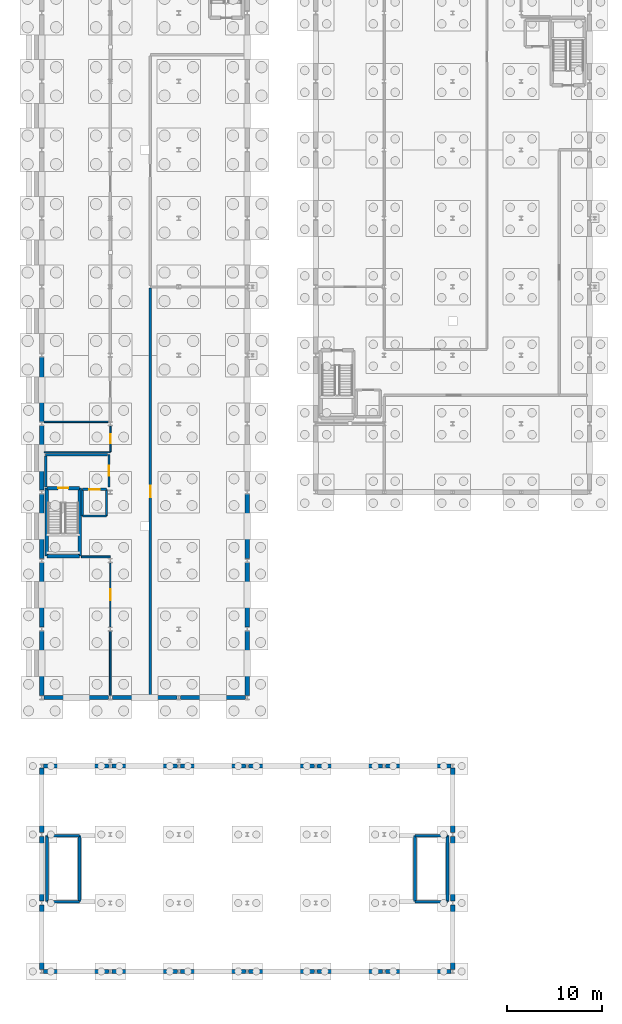
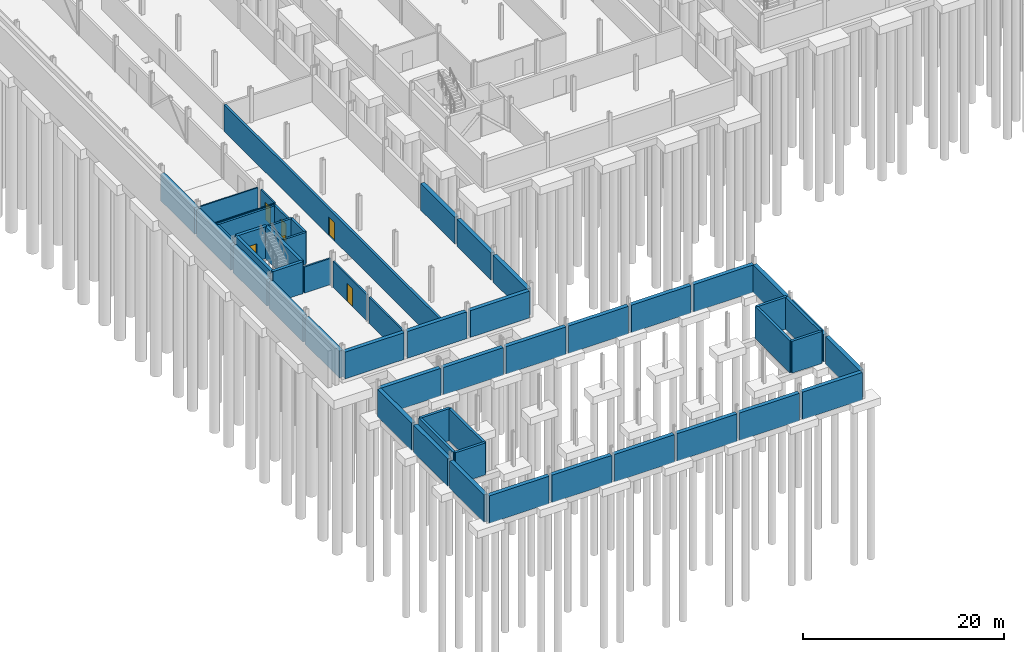
# One storey, part 34 of 50: 55 walls, 6 doors, 6 openings.
"""IFC4 building model written with IfcOpenShell, lengths in metres."""

from ifc_helpers import new_model, si_unit, direction, frame, frame_2d, origin, place, context, subcontext, project, spatial, rectangle, extrude, material, layer, layer_set, type_object, element, fill, save


model = new_model("IFC4")

# Units and contexts
model_context = context("Model", 3, precision=1e-05, world=origin(), true_north=direction((0.0, 1.0)))
body_context = subcontext(model_context, "Body", "Model", "MODEL_VIEW")
ifc_project = project(units=[si_unit("LENGTHUNIT", "METRE"), si_unit("AREAUNIT", "SQUARE_METRE"), si_unit("VOLUMEUNIT", "CUBIC_METRE"), si_unit("PLANEANGLEUNIT", "RADIAN"), si_unit("MASSUNIT", "GRAM", prefix="KILO")], contexts=[model_context])

# Site, building, storey
site_placement = place(None, origin())
site = spatial("IfcSite", under=ifc_project, at=site_placement, CompositionType="ELEMENT")
building_placement = place(site_placement, origin())
building = spatial("IfcBuilding", under=site, at=building_placement, Name="Narikvali Park Central Library", CompositionType="ELEMENT")
storey_placement = place(building_placement, frame((0.0, 0.0, -4.199951171875)))
storey = spatial("IfcBuildingStorey", under=building, at=storey_placement, Name="B1", CompositionType="ELEMENT", Elevation=-4.199951171875)

# Walls
ifc_material_1 = material(Name="Concrete C35/45", Category="concrete")
ifc_layer_1 = layer(ifc_material_1, 0.449951171875, Name="Concrete C35/45")
ifc_layer_set_1 = layer_set([ifc_layer_1], Name="Concrete C35/45")
wall_type_1 = type_object("IfcWallType", Name="Basement Perimeter Retaining Wall 450", PredefinedType="USERDEFINED", material=ifc_layer_set_1)
for number, where, z_axis, x_axis, name in (
    (1, (0.154052734375, 0.0, -0.080078125), (0.0, 0.0, 1.0), (1.0, 0.0, 0.0), "V2 B1 Retaining Wall S"),
    (2, (0.154052734375, 21.60009765625, -0.080078125), (0.0, 0.0, 1.0), (1.0, 0.0, 0.0), "V2 B1 Retaining Wall N"),
):
    element("IfcWall", number, at=place(storey_placement, frame(where, z_axis=z_axis, x_axis=x_axis)), inside=storey, type_object=wall_type_1, Name=name, ObjectType="RETAINING WALL", PredefinedType="USERDEFINED", context=body_context, shape_type="SweptSolid", body=[
        extrude(rectangle(XDim=6.891845703125, YDim=0.449951171875, at=frame_2d((3.44580078125, 0.0))), origin(), (0.0, 0.0, 1.0), 3.340087890625),
    ])
for number, where, z_axis, x_axis, name in (
    (3, (7.35400390625, 0.0, -0.080078125), (0.0, 0.0, 1.0), (1.0, 0.0, 0.0), "V2 B1 Retaining Wall S"),
    (4, (7.35400390625, 21.60009765625, -0.080078125), (0.0, 0.0, 1.0), (1.0, 0.0, 0.0), "V2 B1 Retaining Wall N"),
    (5, (14.553955078125, 0.0, -0.080078125), (0.0, 0.0, 1.0), (1.0, 0.0, 0.0), "V2 B1 Retaining Wall S"),
    (6, (14.553955078125, 21.60009765625, -0.080078125), (0.0, 0.0, 1.0), (1.0, 0.0, 0.0), "V2 B1 Retaining Wall N"),
    (7, (21.75390625, 0.0, -0.080078125), (0.0, 0.0, 1.0), (1.0, 0.0, 0.0), "V2 B1 Retaining Wall S"),
    (8, (21.75390625, 21.60009765625, -0.080078125), (0.0, 0.0, 1.0), (1.0, 0.0, 0.0), "V2 B1 Retaining Wall N"),
):
    element("IfcWall", number, at=place(storey_placement, frame(where, z_axis=z_axis, x_axis=x_axis)), inside=storey, type_object=wall_type_1, Name=name, ObjectType="RETAINING WALL", PredefinedType="USERDEFINED", context=body_context, shape_type="SweptSolid", body=[
        extrude(rectangle(XDim=6.89208984375, YDim=0.449951171875, at=frame_2d((3.446044921875, 0.0))), origin(), (0.0, 0.0, 1.0), 3.340087890625),
    ])
for number, where, z_axis, x_axis, name in (
    (9, (28.9541015625, 0.0, -0.080078125), (0.0, 0.0, 1.0), (1.0, 0.0, 0.0), "V2 B1 Retaining Wall S"),
    (10, (28.9541015625, 21.60009765625, -0.080078125), (0.0, 0.0, 1.0), (1.0, 0.0, 0.0), "V2 B1 Retaining Wall N"),
    (11, (36.154052734375, 0.0, -0.080078125), (0.0, 0.0, 1.0), (1.0, 0.0, 0.0), "V2 B1 Retaining Wall S"),
    (12, (36.154052734375, 21.60009765625, -0.080078125), (0.0, 0.0, 1.0), (1.0, 0.0, 0.0), "V2 B1 Retaining Wall N"),
):
    element("IfcWall", number, at=place(storey_placement, frame(where, z_axis=z_axis, x_axis=x_axis)), inside=storey, type_object=wall_type_1, Name=name, ObjectType="RETAINING WALL", PredefinedType="USERDEFINED", context=body_context, shape_type="SweptSolid", body=[
        extrude(rectangle(XDim=6.891845703125, YDim=0.449951171875, at=frame_2d((3.44580078125, 0.0))), origin(), (0.0, 0.0, 1.0), 3.340087890625),
    ])
for number, where, z_axis, x_axis, name in (
    (13, (0.0, 0.197509765625, -0.080078125), (0.0, 0.0, 1.0), (0.0, 1.0, 0.0), "V2 B1 Retaining Wall W"),
    (14, (43.199951171875, 0.197509765625, -0.080078125), (0.0, 0.0, 1.0), (0.0, 1.0, 0.0), "V2 B1 Retaining Wall E"),
    (15, (0.0, 7.3974609375, -0.080078125), (0.0, 0.0, 1.0), (0.0, 1.0, 0.0), "V2 B1 Retaining Wall W"),
    (16, (43.199951171875, 7.3974609375, -0.080078125), (0.0, 0.0, 1.0), (0.0, 1.0, 0.0), "V2 B1 Retaining Wall E"),
):
    element("IfcWall", number, at=place(storey_placement, frame(where, z_axis=z_axis, x_axis=x_axis)), inside=storey, type_object=wall_type_1, Name=name, ObjectType="RETAINING WALL", PredefinedType="USERDEFINED", context=body_context, shape_type="SweptSolid", body=[
        extrude(rectangle(XDim=6.804931640625, YDim=0.449951171875, at=frame_2d((3.40234375, 0.0))), origin(), (0.0, 0.0, 1.0), 3.340087890625),
    ])
for number, where, z_axis, x_axis, name in (
    (17, (0.0, 14.597412109375, -0.080078125), (0.0, 0.0, 1.0), (0.0, 1.0, 0.0), "V2 B1 Retaining Wall W"),
    (18, (43.199951171875, 14.597412109375, -0.080078125), (0.0, 0.0, 1.0), (0.0, 1.0, 0.0), "V2 B1 Retaining Wall E"),
):
    element("IfcWall", number, at=place(storey_placement, frame(where, z_axis=z_axis, x_axis=x_axis)), inside=storey, type_object=wall_type_1, Name=name, ObjectType="RETAINING WALL", PredefinedType="USERDEFINED", context=body_context, shape_type="SweptSolid", body=[
        extrude(rectangle(XDim=6.80517578125, YDim=0.449951171875, at=frame_2d((3.402587890625, 0.0))), origin(), (0.0, 0.0, 1.0), 3.340087890625),
    ])
wall_1_placement = place(storey_placement, frame((0.20458984375, 28.800048828125, 0.0), z_axis=(0.0, 0.0, 1.0), x_axis=(1.0, 0.0, 0.0)))
element("IfcWall", 19, at=wall_1_placement, inside=storey, type_object=wall_type_1, Name="V5 B1 Retaining Wall S", ObjectType="RETAINING WALL", PredefinedType="USERDEFINED", context=body_context, shape_type="SweptSolid", body=[
    extrude(rectangle(XDim=6.79248046875, YDim=0.449951171875, at=frame_2d((3.396240234375, 0.0))), origin(), (0.0, 0.0, 1.0), 3.260009765625),
])
wall_2_placement = place(storey_placement, frame((7.403076171875, 28.800048828125, 0.0), z_axis=(0.0, 0.0, 1.0), x_axis=(1.0, 0.0, 0.0)))
element("IfcWall", 20, at=wall_2_placement, inside=storey, type_object=wall_type_1, Name="V5 B1 Retaining Wall S", ObjectType="RETAINING WALL", PredefinedType="USERDEFINED", context=body_context, shape_type="SweptSolid", body=[
    extrude(rectangle(XDim=6.7939453125, YDim=0.449951171875, at=frame_2d((3.39697265625, 0.0))), origin(), (0.0, 0.0, 1.0), 3.260009765625),
])
wall_3_placement = place(storey_placement, frame((14.60302734375, 28.800048828125, 0.0), z_axis=(0.0, 0.0, 1.0), x_axis=(1.0, 0.0, 0.0)))
element("IfcWall", 21, at=wall_3_placement, inside=storey, type_object=wall_type_1, Name="V5 B1 Retaining Wall S", ObjectType="RETAINING WALL", PredefinedType="USERDEFINED", context=body_context, shape_type="SweptSolid", body=[
    extrude(rectangle(XDim=6.79248046875, YDim=0.449951171875, at=frame_2d((3.396240234375, 0.0))), origin(), (0.0, 0.0, 1.0), 3.260009765625),
])
for number, where, z_axis, x_axis, name in (
    (22, (0.0, 29.012451171875, 0.0), (0.0, 0.0, 1.0), (0.0, 1.0, 0.0), "V5 B1 Retaining Wall W"),
    (23, (21.60009765625, 29.012451171875, 0.0), (0.0, 0.0, 1.0), (0.0, 1.0, 0.0), "V5 B1 Retaining Wall E"),
):
    element("IfcWall", number, at=place(storey_placement, frame(where, z_axis=z_axis, x_axis=x_axis)), inside=storey, type_object=wall_type_1, Name=name, ObjectType="RETAINING WALL", PredefinedType="USERDEFINED", context=body_context, shape_type="SweptSolid", body=[
        extrude(rectangle(XDim=6.779541015625, YDim=0.449951171875, at=frame_2d((3.3896484375, 0.0))), origin(), (0.0, 0.0, 1.0), 3.260009765625),
    ])
for number, where, z_axis, x_axis, name in (
    (24, (0.0, 36.2080078125, 0.0), (0.0, 0.0, 1.0), (0.0, 1.0, 0.0), "V5 B1 Retaining Wall W"),
    (25, (21.60009765625, 36.2080078125, 0.0), (0.0, 0.0, 1.0), (0.0, 1.0, 0.0), "V5 B1 Retaining Wall E"),
    (26, (0.0, 43.407958984375, 0.0), (0.0, 0.0, 1.0), (0.0, 1.0, 0.0), "V5 B1 Retaining Wall W"),
    (27, (21.60009765625, 43.407958984375, 0.0), (0.0, 0.0, 1.0), (0.0, 1.0, 0.0), "V5 B1 Retaining Wall E"),
):
    element("IfcWall", number, at=place(storey_placement, frame(where, z_axis=z_axis, x_axis=x_axis)), inside=storey, type_object=wall_type_1, Name=name, ObjectType="RETAINING WALL", PredefinedType="USERDEFINED", context=body_context, shape_type="SweptSolid", body=[
        extrude(rectangle(XDim=6.783935546875, YDim=0.449951171875, at=frame_2d((3.39208984375, 0.0))), origin(), (0.0, 0.0, 1.0), 3.260009765625),
    ])
wall_4_placement = place(storey_placement, frame((0.0, 50.60791015625, 0.0), z_axis=(0.0, 0.0, 1.0), x_axis=(0.0, 1.0, 0.0)))
element("IfcWall", 28, at=wall_4_placement, inside=storey, type_object=wall_type_1, Name="V5 B1 Retaining Wall W", ObjectType="RETAINING WALL", PredefinedType="USERDEFINED", context=body_context, shape_type="SweptSolid", body=[
    extrude(rectangle(XDim=6.7841796875, YDim=0.449951171875, at=frame_2d((3.39208984375, 0.0))), origin(), (0.0, 0.0, 1.0), 3.260009765625),
])
wall_5_placement = place(storey_placement, frame((0.0, 57.80810546875, 0.0), z_axis=(0.0, 0.0, 1.0), x_axis=(0.0, 1.0, 0.0)))
element("IfcWall", 29, at=wall_5_placement, inside=storey, type_object=wall_type_1, Name="V5 B1 Retaining Wall W", ObjectType="RETAINING WALL", PredefinedType="USERDEFINED", context=body_context, shape_type="SweptSolid", body=[
    extrude(rectangle(XDim=6.783935546875, YDim=0.449951171875, at=frame_2d((3.39208984375, 0.0))), origin(), (0.0, 0.0, 1.0), 3.260009765625),
])
ifc_material_2 = material(Name="Cleanroom Gypsum on Steel Studs", Category="steel")
ifc_layer_2 = layer(ifc_material_2, 0.18994140625, Name="Cleanroom Gypsum on Steel Studs")
ifc_layer_set_2 = layer_set([ifc_layer_2], Name="Cleanroom Gypsum on Steel Studs")
wall_type_2 = type_object("IfcWallType", Name="Conservation Lab Partition Wall 190", PredefinedType="PARTITIONING", material=ifc_layer_set_2)
wall_6_placement = place(storey_placement, frame((4.14697265625, 43.60009765625, 0.0), z_axis=(0.0, 0.0, 1.0), x_axis=(1.0, 0.0, 0.0)))
element("IfcWall", 30, at=wall_6_placement, inside=storey, type_object=wall_type_2, Name="Vault Quarantine and Acclimatisation Room Partition N", PredefinedType="PARTITIONING", context=body_context, shape_type="SweptSolid", body=[
    extrude(rectangle(XDim=3.052978515625, YDim=0.18994140625, at=frame_2d((1.5263671875, 0.0))), origin(), (0.0, 0.0, 1.0), 3.175048828125),
])
wall_7_placement = place(storey_placement, frame((7.199951171875, 29.02490234375, 0.0), z_axis=(0.0, 0.0, 1.0), x_axis=(0.0, 1.0, 0.0)))
element("IfcWall", 31, at=wall_7_placement, inside=storey, type_object=wall_type_2, Name="Vault Quarantine and Acclimatisation Room Partition E", PredefinedType="PARTITIONING", context=body_context, shape_type="SweptSolid", body=[
    extrude(rectangle(XDim=6.753662109375, YDim=0.18994140625, at=frame_2d((3.376953125, 0.0))), origin(), (0.0, 0.0, 1.0), 3.175048828125),
])

# Wall, opening, door
wall_8_placement = place(storey_placement, frame((7.199951171875, 36.221435546875, 0.0), z_axis=(0.0, 0.0, 1.0), x_axis=(0.0, 1.0, 0.0)))
wall_8 = element("IfcWall", 32, at=wall_8_placement, inside=storey, type_object=wall_type_2, Name="Vault Quarantine and Acclimatisation Room Partition E", PredefinedType="PARTITIONING", context=body_context, shape_type="SweptSolid", body=[
    extrude(rectangle(XDim=6.757080078125, YDim=0.18994140625, at=frame_2d((3.37841796875, 0.0))), origin(), (0.0, 0.0, 1.0), 3.175048828125),
])
opening_1_placement = place(wall_8_placement, frame((2.803466796875, 0.0, 0.0)))
opening_1 = element("IfcOpeningElement", 33, at=opening_1_placement, cuts=wall_8, Name="Opening ID-0109", PredefinedType="OPENING", context=body_context, shape_type="SweptSolid", body=[
    extrude(rectangle(XDim=1.14990234375, YDim=2.199951171875, at=frame_2d((0.574951171875, 1.10009765625))), frame((0.0, 0.10693359375, 0.0), z_axis=(0.0, -1.0, 0.0), x_axis=(1.0, 0.0, 0.0)), (0.0, 0.0, 1.0), 0.2138671875),
])
ifc_material_3 = material(Name="Powder-Coated Steel S275", Category="steel")
door_type_1 = type_object("IfcDoorType", Name="Conservation Lab Clean Door 1150x2200", OperationType="SINGLE_SWING_RIGHT", PredefinedType="DOOR", material=ifc_material_3)
door_1_placement = place(opening_1_placement, origin())
door_1 = element("IfcDoor", 34, at=door_1_placement, inside=storey, type_object=door_type_1, Name="Vault Quarantine and Acclimatisation Room Door ID-0109", OperationType="SINGLE_SWING_LEFT", OverallHeight=2.199951171875, OverallWidth=1.14990234375, PredefinedType="DOOR", context=body_context, shape_type="SweptSolid", body=[
    extrude(rectangle(XDim=1.14990234375, YDim=2.199951171875, at=frame_2d((0.574951171875, 1.10009765625))), frame((0.0, 0.02490234375, 0.0), z_axis=(0.0, -1.0, 0.0), x_axis=(1.0, 0.0, 0.0)), (0.0, 0.0, 1.0), 0.050048828125),
])
fill(opening_1, door_1)

ifc_material_4 = material(Name="Autoclaved Concrete Blockwork C25/30", Category="masonry")
ifc_layer_3 = layer(ifc_material_4, 0.239990234375, Name="Autoclaved Concrete Blockwork C25/30")
ifc_layer_set_3 = layer_set([ifc_layer_3], Name="Autoclaved Concrete Blockwork C25/30")
wall_type_3 = type_object("IfcWallType", Name="Fire Compartment Concrete Block Wall 240", PredefinedType="SOLIDWALL", material=ifc_layer_set_3)
wall_9_placement = place(storey_placement, frame((7.050048828125, 50.949951171875, 0.0), z_axis=(0.0, 0.0, 1.0), x_axis=(0.0, 1.0, 0.0)))
wall_9 = element("IfcWall", 35, at=wall_9_placement, inside=storey, type_object=wall_type_3, Name="C5A B1 Firefighting Lobby Wall E", PredefinedType="SOLIDWALL", context=body_context, shape_type="SweptSolid", body=[
    extrude(rectangle(XDim=3.400146484375, YDim=0.239990234375, at=frame_2d((1.7001953125, 0.0))), origin(), (0.0, 0.0, 1.0), 3.139892578125),
])
opening_2_placement = place(wall_9_placement, frame((1.199951171875, 0.0, 0.0)))
opening_2 = element("IfcOpeningElement", 36, at=opening_2_placement, cuts=wall_9, Name="Opening FF-037", PredefinedType="OPENING", context=body_context, shape_type="SweptSolid", body=[
    extrude(rectangle(XDim=1.050048828125, YDim=2.14990234375, at=frame_2d((0.52490234375, 1.074951171875))), frame((0.0, 0.1318359375, 0.0), z_axis=(0.0, -1.0, 0.0), x_axis=(1.0, 0.0, 0.0)), (0.0, 0.0, 1.0), 0.263916015625),
])
ifc_material_5 = material(Name="Powder-Coated Steel S275 Fire Leaf", Category="steel")
door_type_2 = type_object("IfcDoorType", Name="Firefighting Lobby Single Fire Door 1050x2150", OperationType="SINGLE_SWING_RIGHT", PredefinedType="DOOR", material=ifc_material_5)
door_2_placement = place(opening_2_placement, frame((1.050048828125, 0.0, 0.0), z_axis=(0.0, 0.0, 1.0), x_axis=(-1.0, 0.0, 0.0)))
door_2 = element("IfcDoor", 37, at=door_2_placement, inside=storey, type_object=door_type_2, Name="FF-01 B1 Firefighting Lobby Corridor Door", OperationType="SINGLE_SWING_RIGHT", OverallHeight=2.14990234375, OverallWidth=1.050048828125, PredefinedType="DOOR", context=body_context, shape_type="SweptSolid", body=[
    extrude(rectangle(XDim=1.050048828125, YDim=2.14990234375, at=frame_2d((0.52490234375, 1.074951171875))), frame((0.0, 0.02490234375, 0.0), z_axis=(0.0, -1.0, 0.0), x_axis=(1.0, 0.0, 0.0)), (0.0, 0.0, 1.0), 0.050048828125),
])
fill(opening_2, door_2)

# Walls
wall_10_placement = place(storey_placement, frame((0.39990234375, 54.35009765625, 0.0), z_axis=(0.0, 0.0, 1.0), x_axis=(1.0, 0.0, 0.0)))
element("IfcWall", 38, at=wall_10_placement, inside=storey, type_object=wall_type_3, Name="C5A B1 Firefighting Lobby Wall N", PredefinedType="SOLIDWALL", context=body_context, shape_type="SweptSolid", body=[
    extrude(rectangle(XDim=6.52001953125, YDim=0.239990234375, at=frame_2d((3.260009765625, 0.0))), origin(), (0.0, 0.0, 1.0), 3.139892578125),
])
wall_11_placement = place(storey_placement, frame((0.39990234375, 50.949951171875, 0.0), z_axis=(0.0, 0.0, 1.0), x_axis=(0.0, 1.0, 0.0)))
element("IfcWall", 39, at=wall_11_placement, inside=storey, type_object=wall_type_3, Name="C5A B1 Firefighting Lobby Wall W", PredefinedType="SOLIDWALL", context=body_context, shape_type="SweptSolid", body=[
    extrude(rectangle(XDim=3.27001953125, YDim=0.239990234375, at=frame_2d((1.635009765625, 0.0))), origin(), (0.0, 0.0, 1.0), 3.139892578125),
])
ifc_material_6 = material(Name="Moisture-Resistant Cement Board on Steel Studs", Category="steel")
ifc_layer_4 = layer(ifc_material_6, 0.14990234375, Name="Moisture-Resistant Cement Board on Steel Studs")
ifc_layer_set_4 = layer_set([ifc_layer_4], Name="Moisture-Resistant Cement Board on Steel Studs")
wall_type_4 = type_object("IfcWallType", Name="Moisture-Resistant WC Partition 150", PredefinedType="PARTITIONING", material=ifc_layer_set_4)
wall_12_placement = place(storey_placement, frame((0.22509765625, 54.60009765625, 0.0), z_axis=(0.0, 0.0, 1.0), x_axis=(1.0, 0.0, 0.0)))
element("IfcWall", 40, at=wall_12_placement, inside=storey, type_object=wall_type_4, Name="Stacks Wing Accessible WC B1 Partition S", PredefinedType="PARTITIONING", context=body_context, shape_type="SweptSolid", body=[
    extrude(rectangle(XDim=6.974853515625, YDim=0.14990234375, at=frame_2d((3.4873046875, 0.0))), origin(), (0.0, 0.0, 1.0), 3.175048828125),
])
wall_13_placement = place(storey_placement, frame((0.22509765625, 57.800048828125, 0.0), z_axis=(0.0, 0.0, 1.0), x_axis=(1.0, 0.0, 0.0)))
element("IfcWall", 41, at=wall_13_placement, inside=storey, type_object=wall_type_4, Name="Stacks Wing Accessible WC B1 Partition N", PredefinedType="PARTITIONING", context=body_context, shape_type="SweptSolid", body=[
    extrude(rectangle(XDim=6.764892578125, YDim=0.14990234375, at=frame_2d((3.38232421875, 0.0))), origin(), (0.0, 0.0, 1.0), 3.21484375),
])

# Wall, opening, door
wall_14_placement = place(storey_placement, frame((7.199951171875, 54.677001953125, 0.0), z_axis=(0.0, 0.0, 1.0), x_axis=(0.0, 1.0, 0.0)))
wall_14 = element("IfcWall", 42, at=wall_14_placement, inside=storey, type_object=wall_type_4, Name="Stacks Wing Accessible WC B1 Partition E", PredefinedType="PARTITIONING", context=body_context, shape_type="SweptSolid", body=[
    extrude(rectangle(XDim=2.701416015625, YDim=0.14990234375, at=frame_2d((1.3505859375, 0.0))), origin(), (0.0, 0.0, 1.0), 3.175048828125),
])
opening_3_placement = place(wall_14_placement, frame((0.86083984375, 0.0, 0.0)))
opening_3 = element("IfcOpeningElement", 43, at=opening_3_placement, cuts=wall_14, Name="Opening ID-0017", PredefinedType="OPENING", context=body_context, shape_type="SweptSolid", body=[
    extrude(rectangle(XDim=0.97998046875, YDim=2.10009765625, at=frame_2d((0.489990234375, 1.050048828125))), frame((0.0, 0.0869140625, 0.0), z_axis=(0.0, -1.0, 0.0), x_axis=(1.0, 0.0, 0.0)), (0.0, 0.0, 1.0), 0.173828125),
])
ifc_material_7 = material(Name="Laminate Faced Hardwood Core", Category="wood")
door_type_3 = type_object("IfcDoorType", Name="Accessible WC Outward-Opening Door 980x2100", OperationType="SINGLE_SWING_RIGHT", PredefinedType="DOOR", material=ifc_material_7)
door_3_placement = place(opening_3_placement, frame((0.97998046875, 0.0, 0.0), z_axis=(0.0, 0.0, 1.0), x_axis=(-1.0, 0.0, 0.0)))
door_3 = element("IfcDoor", 44, at=door_3_placement, inside=storey, type_object=door_type_3, Name="Stacks Wing Accessible WC B1 Door ID-0017", OperationType="SINGLE_SWING_LEFT", OverallHeight=2.10009765625, OverallWidth=0.97998046875, PredefinedType="DOOR", context=body_context, shape_type="SweptSolid", body=[
    extrude(rectangle(XDim=0.97998046875, YDim=2.10009765625, at=frame_2d((0.489990234375, 1.050048828125))), frame((0.0, 0.02490234375, 0.0), z_axis=(0.0, -1.0, 0.0), x_axis=(1.0, 0.0, 0.0)), (0.0, 0.0, 1.0), 0.050048828125),
])
fill(opening_3, door_3)

ifc_material_8 = material(Name="High-Density Concrete Blockwork C35/45", Category="masonry")
ifc_layer_5 = layer(ifc_material_8, 0.27001953125, Name="High-Density Concrete Blockwork C35/45")
ifc_layer_set_5 = layer_set([ifc_layer_5], Name="High-Density Concrete Blockwork C35/45")
wall_type_5 = type_object("IfcWallType", Name="Rare Books Vault Partition Wall 270", PredefinedType="SOLIDWALL", material=ifc_layer_set_5)
wall_15_placement = place(storey_placement, frame((11.39990234375, 29.02490234375, 0.0), z_axis=(0.0, 0.0, 1.0), x_axis=(0.0, 1.0, 0.0)))
wall_15 = element("IfcWall", 45, at=wall_15_placement, inside=storey, type_object=wall_type_5, Name="Rare Books and Georgian Manuscripts Vault Partition W", PredefinedType="SOLIDWALL", context=body_context, shape_type="SweptSolid", body=[
    extrude(rectangle(XDim=42.863037109375, YDim=0.27001953125, at=frame_2d((21.431640625, 0.0))), origin(), (0.0, 0.0, 1.0), 3.21484375),
])
opening_4_placement = place(wall_15_placement, frame((20.83154296875, 0.0, 0.0)))
opening_4 = element("IfcOpeningElement", 46, at=opening_4_placement, cuts=wall_15, Name="Opening ID-0110", PredefinedType="OPENING", context=body_context, shape_type="SweptSolid", body=[
    extrude(rectangle(XDim=1.199951171875, YDim=2.199951171875, at=frame_2d((0.60009765625, 1.10009765625))), frame((0.0, 0.14697265625, 0.0), z_axis=(0.0, -1.0, 0.0), x_axis=(1.0, 0.0, 0.0)), (0.0, 0.0, 1.0), 0.2939453125),
])
ifc_material_9 = material(Name="Insulated Steel S355 Vault Leaf", Category="steel")
door_type_4 = type_object("IfcDoorType", Name="Archive Vault Heavy Fire Door 1200x2200", OperationType="SINGLE_SWING_LEFT", PredefinedType="DOOR", material=ifc_material_9)
door_4_placement = place(opening_4_placement, frame((1.199951171875, 0.0, 0.0), z_axis=(0.0, 0.0, 1.0), x_axis=(-1.0, 0.0, 0.0)))
door_4 = element("IfcDoor", 47, at=door_4_placement, inside=storey, type_object=door_type_4, Name="Rare Books and Georgian Manuscripts Vault Door ID-0110", OperationType="SINGLE_SWING_RIGHT", OverallHeight=2.199951171875, OverallWidth=1.199951171875, PredefinedType="DOOR", context=body_context, shape_type="SweptSolid", body=[
    extrude(rectangle(XDim=1.199951171875, YDim=2.199951171875, at=frame_2d((0.60009765625, 1.10009765625))), frame((0.0, 0.02490234375, 0.0), z_axis=(0.0, -1.0, 0.0), x_axis=(1.0, 0.0, 0.0)), (0.0, 0.0, 1.0), 0.050048828125),
])
fill(opening_4, door_4)

# Walls
ifc_material_10 = material(Name="Concrete C40/50", Category="concrete")
ifc_layer_6 = layer(ifc_material_10, 0.35009765625, Name="Concrete C40/50")
ifc_layer_set_6 = layer_set([ifc_layer_6], Name="Concrete C40/50")
wall_type_6 = type_object("IfcWallType", Name="Reinforced Concrete Core Shear Wall 350", PredefinedType="SHEAR", material=ifc_layer_set_6)
wall_16_placement = place(storey_placement, frame((0.530029296875, 43.679931640625, 0.0), z_axis=(0.0, 0.0, 1.0), x_axis=(1.0, 0.0, 0.0)))
element("IfcWall", 48, at=wall_16_placement, inside=storey, type_object=wall_type_6, Name="C5A B1 Stair Core Shear Wall S", PredefinedType="SHEAR", context=body_context, shape_type="SweptSolid", body=[
    extrude(rectangle(XDim=3.43994140625, YDim=0.35009765625, at=frame_2d((1.719970703125, 0.0))), origin(), (0.0, 0.0, 1.0), 3.8798828125),
])
wall_17_placement = place(storey_placement, frame((3.969970703125, 43.679931640625, 0.0), z_axis=(0.0, 0.0, 1.0), x_axis=(0.0, 1.0, 0.0)))
element("IfcWall", 49, at=wall_17_placement, inside=storey, type_object=wall_type_6, Name="C5A B1 Stair Core Shear Wall E", PredefinedType="SHEAR", context=body_context, shape_type="SweptSolid", body=[
    extrude(rectangle(XDim=7.14013671875, YDim=0.35009765625, at=frame_2d((3.570068359375, 0.0))), origin(), (0.0, 0.0, 1.0), 3.8798828125),
])

# Wall, opening, door
wall_18_placement = place(storey_placement, frame((3.969970703125, 50.820068359375, 0.0), z_axis=(0.0, 0.0, 1.0), x_axis=(-1.0, 0.0, 0.0)))
wall_18 = element("IfcWall", 50, at=wall_18_placement, inside=storey, type_object=wall_type_6, Name="C5A B1 Stair Core Shear Wall N", PredefinedType="SHEAR", context=body_context, shape_type="SweptSolid", body=[
    extrude(rectangle(XDim=3.43994140625, YDim=0.35009765625, at=frame_2d((1.719970703125, 0.0))), origin(), (0.0, 0.0, 1.0), 3.8798828125),
])
opening_5_placement = place(wall_18_placement, frame((1.169921875, 0.0, 0.0)))
opening_5 = element("IfcOpeningElement", 51, at=opening_5_placement, cuts=wall_18, Name="Opening SD-036", PredefinedType="OPENING", context=body_context, shape_type="SweptSolid", body=[
    extrude(rectangle(XDim=1.10009765625, YDim=2.14990234375, at=frame_2d((0.550048828125, 1.074951171875))), frame((0.0, 0.18701171875, 0.0), z_axis=(0.0, -1.0, 0.0), x_axis=(1.0, 0.0, 0.0)), (0.0, 0.0, 1.0), 0.3740234375),
])
door_type_5 = type_object("IfcDoorType", Name="Stair Core Smoke-Control Fire Door 1100x2150", OperationType="SINGLE_SWING_LEFT", PredefinedType="DOOR", material=ifc_material_5)
door_5_placement = place(opening_5_placement, frame((1.10009765625, 0.0, 0.0), z_axis=(0.0, 0.0, 1.0), x_axis=(-1.0, 0.0, 0.0)))
door_5 = element("IfcDoor", 52, at=door_5_placement, inside=storey, type_object=door_type_5, Name="ST-09 B1 Stair Exit Door SD-036", OperationType="SINGLE_SWING_RIGHT", OverallHeight=2.14990234375, OverallWidth=1.10009765625, PredefinedType="DOOR", context=body_context, shape_type="SweptSolid", body=[
    extrude(rectangle(XDim=1.10009765625, YDim=2.14990234375, at=frame_2d((0.550048828125, 1.074951171875))), frame((0.0, 0.02490234375, 0.0), z_axis=(0.0, -1.0, 0.0), x_axis=(1.0, 0.0, 0.0)), (0.0, 0.0, 1.0), 0.050048828125),
])
fill(opening_5, door_5)

# Walls
wall_19_placement = place(storey_placement, frame((0.530029296875, 50.820068359375, 0.0), z_axis=(0.0, 0.0, 1.0), x_axis=(0.0, -1.0, 0.0)))
element("IfcWall", 53, at=wall_19_placement, inside=storey, type_object=wall_type_6, Name="C5A B1 Stair Core Shear Wall W", PredefinedType="SHEAR", context=body_context, shape_type="SweptSolid", body=[
    extrude(rectangle(XDim=7.14013671875, YDim=0.35009765625, at=frame_2d((3.570068359375, 0.0))), origin(), (0.0, 0.0, 1.0), 3.8798828125),
])
ifc_layer_7 = layer(ifc_material_10, 0.25, Name="Concrete C40/50")
ifc_layer_set_7 = layer_set([ifc_layer_7], Name="Concrete C40/50")
wall_type_7 = type_object("IfcWallType", Name="Reinforced Concrete Lift Shaft Wall 250", PredefinedType="SHEAR", material=ifc_layer_set_7)
wall_20_placement = place(storey_placement, frame((4.25, 47.89990234375, 0.0), z_axis=(0.0, 0.0, 1.0), x_axis=(1.0, 0.0, 0.0)))
element("IfcWall", 54, at=wall_20_placement, inside=storey, type_object=wall_type_7, Name="FF-01 B1 Lift Shaft Wall S", PredefinedType="SHEAR", context=body_context, shape_type="SweptSolid", body=[
    extrude(rectangle(XDim=2.550048828125, YDim=0.25, at=frame_2d((1.27490234375, 0.0))), origin(), (0.0, 0.0, 1.0), 3.8798828125),
])
wall_21_placement = place(storey_placement, frame((6.800048828125, 47.89990234375, 0.0), z_axis=(0.0, 0.0, 1.0), x_axis=(0.0, 1.0, 0.0)))
element("IfcWall", 55, at=wall_21_placement, inside=storey, type_object=wall_type_7, Name="FF-01 B1 Lift Shaft Wall E", PredefinedType="SHEAR", context=body_context, shape_type="SweptSolid", body=[
    extrude(rectangle(XDim=2.800048828125, YDim=0.25, at=frame_2d((1.39990234375, 0.0))), origin(), (0.0, 0.0, 1.0), 3.8798828125),
])

# Wall, opening, door
wall_22_placement = place(storey_placement, frame((6.800048828125, 50.699951171875, 0.0), z_axis=(0.0, 0.0, 1.0), x_axis=(-1.0, 0.0, 0.0)))
wall_22 = element("IfcWall", 56, at=wall_22_placement, inside=storey, type_object=wall_type_7, Name="FF-01 B1 Lift Shaft Wall N", PredefinedType="SHEAR", context=body_context, shape_type="SweptSolid", body=[
    extrude(rectangle(XDim=2.550048828125, YDim=0.25, at=frame_2d((1.27490234375, 0.0))), origin(), (0.0, 0.0, 1.0), 3.8798828125),
])
opening_6_placement = place(wall_22_placement, frame((0.72509765625, 0.0, 0.0)))
opening_6 = element("IfcOpeningElement", 57, at=opening_6_placement, cuts=wall_22, Name="Opening LD-034", PredefinedType="OPENING", context=body_context, shape_type="SweptSolid", body=[
    extrude(rectangle(XDim=1.10009765625, YDim=2.10009765625, at=frame_2d((0.550048828125, 1.050048828125))), frame((0.0, 0.136962890625, 0.0), z_axis=(0.0, -1.0, 0.0), x_axis=(1.0, 0.0, 0.0)), (0.0, 0.0, 1.0), 0.27392578125),
])
ifc_material_11 = material(Name="Brushed Stainless Steel S355", Category="steel")
door_type_6 = type_object("IfcDoorType", Name="Firefighting Lift Sliding Landing Door 1100x2100", OperationType="SLIDING_TO_RIGHT", PredefinedType="DOOR", material=ifc_material_11)
door_6_placement = place(opening_6_placement, origin())
door_6 = element("IfcDoor", 58, at=door_6_placement, inside=storey, type_object=door_type_6, Name="FF-01 B1 Lift Landing Sliding Door LD-034", OperationType="SLIDING_TO_RIGHT", OverallHeight=2.10009765625, OverallWidth=1.10009765625, PredefinedType="DOOR", context=body_context, shape_type="SweptSolid", body=[
    extrude(rectangle(XDim=1.10009765625, YDim=2.10009765625, at=frame_2d((0.550048828125, 1.050048828125))), frame((0.0, 0.02490234375, 0.0), z_axis=(0.0, -1.0, 0.0), x_axis=(1.0, 0.0, 0.0)), (0.0, 0.0, 1.0), 0.050048828125),
])
fill(opening_6, door_6)

# Walls
wall_23_placement = place(storey_placement, frame((4.25, 50.699951171875, 0.0), z_axis=(0.0, 0.0, 1.0), x_axis=(0.0, -1.0, 0.0)))
element("IfcWall", 59, at=wall_23_placement, inside=storey, type_object=wall_type_7, Name="FF-01 B1 Lift Shaft Wall W", PredefinedType="SHEAR", context=body_context, shape_type="SweptSolid", body=[
    extrude(rectangle(XDim=2.800048828125, YDim=0.25, at=frame_2d((1.39990234375, 0.0))), origin(), (0.0, 0.0, 1.0), 3.8798828125),
])
ifc_layer_8 = layer(ifc_material_10, 0.300048828125, Name="Concrete C40/50")
ifc_layer_set_8 = layer_set([ifc_layer_8], Name="Concrete C40/50")
wall_type_8 = type_object("IfcWallType", Name="Reinforced Concrete Shear Wall 300", PredefinedType="SHEAR", material=ifc_layer_set_8)
wall_24_placement = place(storey_placement, frame((0.530029296875, 7.330078125, 0.0), z_axis=(0.0, 0.0, 1.0), x_axis=(1.0, 0.0, 0.0)))
element("IfcWall", 60, at=wall_24_placement, inside=storey, type_object=wall_type_8, Name="C2A B1 Core Foundation Shear Wall S", PredefinedType="SHEAR", context=body_context, shape_type="SweptSolid", body=[
    extrude(rectangle(XDim=3.43994140625, YDim=0.300048828125, at=frame_2d((1.719970703125, 0.0))), origin(), (0.0, 0.0, 1.0), 3.8798828125),
])
wall_25_placement = place(storey_placement, frame((3.969970703125, 7.330078125, 0.0), z_axis=(0.0, 0.0, 1.0), x_axis=(0.0, 1.0, 0.0)))
element("IfcWall", 61, at=wall_25_placement, inside=storey, type_object=wall_type_8, Name="C2A B1 Core Foundation Shear Wall E", PredefinedType="SHEAR", context=body_context, shape_type="SweptSolid", body=[
    extrude(rectangle(XDim=6.93994140625, YDim=0.300048828125, at=frame_2d((3.469970703125, 0.0))), origin(), (0.0, 0.0, 1.0), 3.8798828125),
])
wall_26_placement = place(storey_placement, frame((3.969970703125, 14.27001953125, 0.0), z_axis=(0.0, 0.0, 1.0), x_axis=(-1.0, 0.0, 0.0)))
element("IfcWall", 62, at=wall_26_placement, inside=storey, type_object=wall_type_8, Name="C2A B1 Core Foundation Shear Wall N", PredefinedType="SHEAR", context=body_context, shape_type="SweptSolid", body=[
    extrude(rectangle(XDim=3.43994140625, YDim=0.300048828125, at=frame_2d((1.719970703125, 0.0))), origin(), (0.0, 0.0, 1.0), 3.8798828125),
])
wall_27_placement = place(storey_placement, frame((0.530029296875, 14.27001953125, 0.0), z_axis=(0.0, 0.0, 1.0), x_axis=(0.0, -1.0, 0.0)))
element("IfcWall", 63, at=wall_27_placement, inside=storey, type_object=wall_type_8, Name="C2A B1 Core Foundation Shear Wall W", PredefinedType="SHEAR", context=body_context, shape_type="SweptSolid", body=[
    extrude(rectangle(XDim=6.93994140625, YDim=0.300048828125, at=frame_2d((3.469970703125, 0.0))), origin(), (0.0, 0.0, 1.0), 3.8798828125),
])
wall_28_placement = place(storey_placement, frame((39.22998046875, 7.330078125, 0.0), z_axis=(0.0, 0.0, 1.0), x_axis=(1.0, 0.0, 0.0)))
element("IfcWall", 64, at=wall_28_placement, inside=storey, type_object=wall_type_8, Name="C2B B1 Core Foundation Shear Wall S", PredefinedType="SHEAR", context=body_context, shape_type="SweptSolid", body=[
    extrude(rectangle(XDim=3.43994140625, YDim=0.300048828125, at=frame_2d((1.719970703125, 0.0))), origin(), (0.0, 0.0, 1.0), 3.8798828125),
])
wall_29_placement = place(storey_placement, frame((42.669921875, 7.330078125, 0.0), z_axis=(0.0, 0.0, 1.0), x_axis=(0.0, 1.0, 0.0)))
element("IfcWall", 65, at=wall_29_placement, inside=storey, type_object=wall_type_8, Name="C2B B1 Core Foundation Shear Wall E", PredefinedType="SHEAR", context=body_context, shape_type="SweptSolid", body=[
    extrude(rectangle(XDim=6.93994140625, YDim=0.300048828125, at=frame_2d((3.469970703125, 0.0))), origin(), (0.0, 0.0, 1.0), 3.8798828125),
])
wall_30_placement = place(storey_placement, frame((42.669921875, 14.27001953125, 0.0), z_axis=(0.0, 0.0, 1.0), x_axis=(-1.0, 0.0, 0.0)))
element("IfcWall", 66, at=wall_30_placement, inside=storey, type_object=wall_type_8, Name="C2B B1 Core Foundation Shear Wall N", PredefinedType="SHEAR", context=body_context, shape_type="SweptSolid", body=[
    extrude(rectangle(XDim=3.43994140625, YDim=0.300048828125, at=frame_2d((1.719970703125, 0.0))), origin(), (0.0, 0.0, 1.0), 3.8798828125),
])
wall_31_placement = place(storey_placement, frame((39.22998046875, 14.27001953125, 0.0), z_axis=(0.0, 0.0, 1.0), x_axis=(0.0, -1.0, 0.0)))
element("IfcWall", 67, at=wall_31_placement, inside=storey, type_object=wall_type_8, Name="C2B B1 Core Foundation Shear Wall W", PredefinedType="SHEAR", context=body_context, shape_type="SweptSolid", body=[
    extrude(rectangle(XDim=6.93994140625, YDim=0.300048828125, at=frame_2d((3.469970703125, 0.0))), origin(), (0.0, 0.0, 1.0), 3.8798828125),
])

save(model, "model.ifc")
